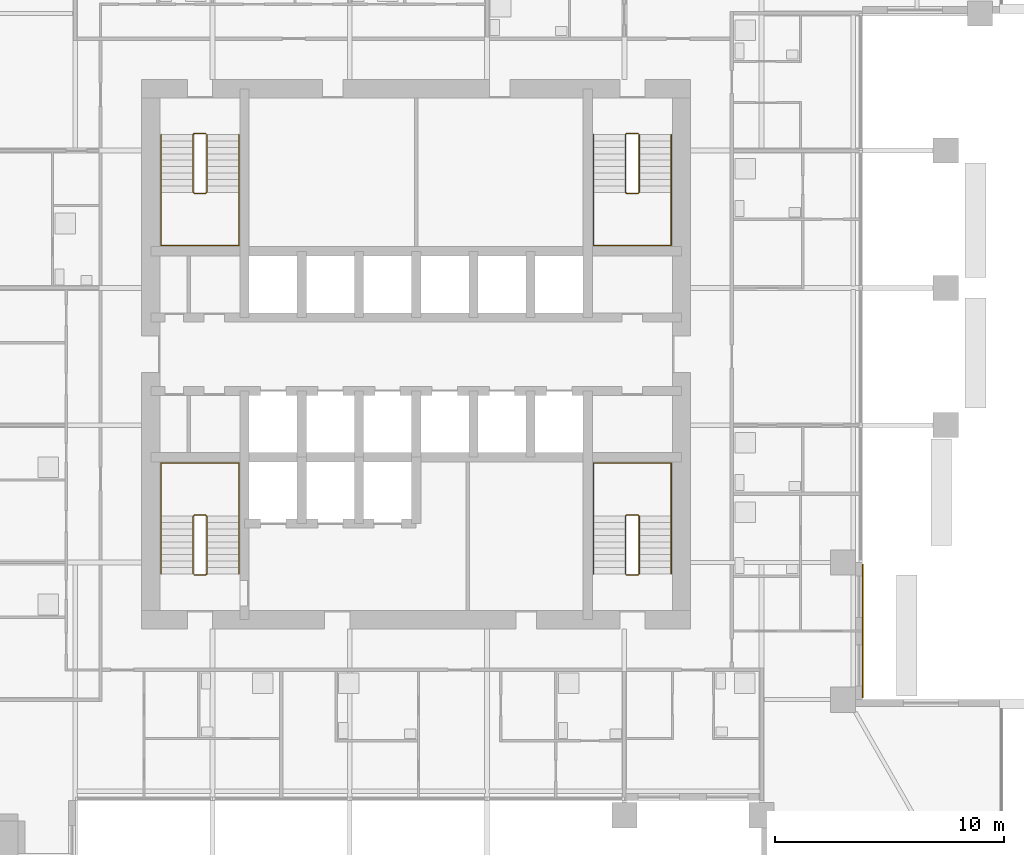
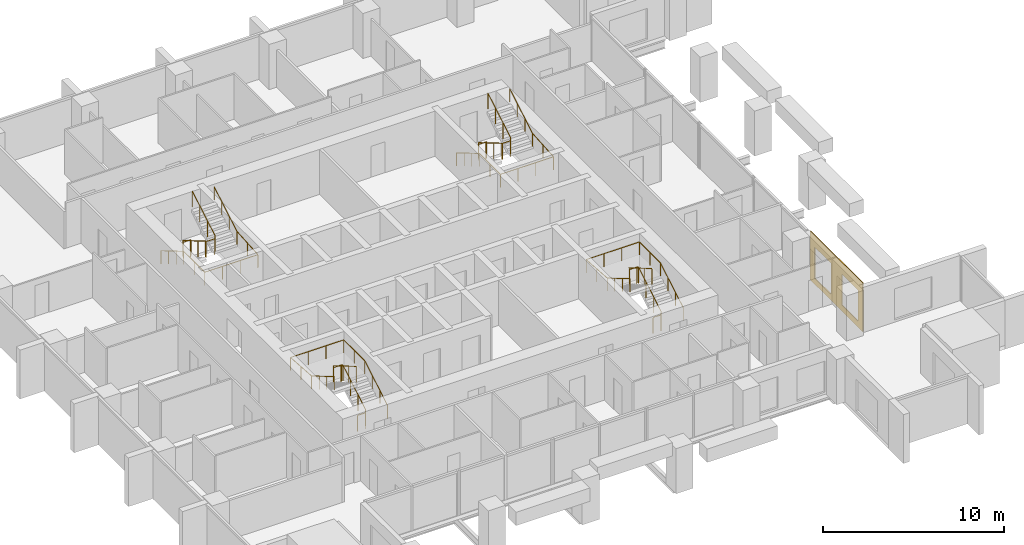
# One storey, part 12 of 13: 8 railings, 1 covering.
"""IFC4 building model written with IfcOpenShell, lengths in metres."""

from ifc_helpers import new_model, si_unit, direction, frame, origin, origin_2d, place, context, subcontext, project, spatial, polyline, circle, outline, extrude, material, layer, layer_set, type_object, element, save


model = new_model("IFC4")

# Units and contexts
model_context = context("Model", 3, precision=1e-05, world=origin(), true_north=direction((0.0, 1.0)))
body_context = subcontext(model_context, "Body", "Model", "MODEL_VIEW")
ifc_project = project(units=[si_unit("LENGTHUNIT", "METRE"), si_unit("AREAUNIT", "SQUARE_METRE"), si_unit("VOLUMEUNIT", "CUBIC_METRE"), si_unit("PLANEANGLEUNIT", "RADIAN"), si_unit("MASSUNIT", "GRAM", prefix="KILO")], contexts=[model_context])

# Site, building, storey
site_placement = place(None, origin())
site = spatial("IfcSite", under=ifc_project, at=site_placement, CompositionType="ELEMENT")
building_placement = place(site_placement, origin())
building = spatial("IfcBuilding", under=site, at=building_placement, Name="Amberfall Residences", CompositionType="ELEMENT")
storey_placement = place(building_placement, frame((0.0, 0.0, 111.699951171875)))
storey = spatial("IfcBuildingStorey", under=building, at=storey_placement, Name="L30", CompositionType="ELEMENT", Elevation=111.699951171875)

# Covering
ifc_material_1 = material(Name="Pale limestone cladding", Category="masonry")
ifc_layer = layer(ifc_material_1, 0.050048828125)
ifc_layer_set = layer_set([ifc_layer], Name="Limestone fascia 50")
covering_type = type_object("IfcCoveringType", Name="Limestone fascia 50", PredefinedType="CLADDING", material=ifc_layer_set)
covering_placement = place(storey_placement, frame((94.0, 30.489990234375, 3.050048828125), z_axis=(-1.0, 0.0, 0.0), x_axis=(0.0, 1.0, 0.0)))
element("IfcCovering", 1, at=covering_placement, inside=storey, type_object=covering_type, Name="Pale limestone cladding L30 E", PredefinedType="CLADDING", context=body_context, shape_type="SweptSolid", body=[
    extrude(outline(polyline([(0.0, 0.0), (5.820068359375, 0.0), (5.820068359375, 3.300048828125), (0.0, 3.300048828125), (0.0, 0.0)]), holes=[polyline([(0.510009765625, 0.800048828125), (2.31005859375, 0.800048828125), (2.31005859375, 2.89990234375), (0.510009765625, 2.89990234375), (0.510009765625, 0.800048828125)]), polyline([(3.510009765625, 0.800048828125), (5.31005859375, 0.800048828125), (5.31005859375, 2.89990234375), (3.510009765625, 2.89990234375), (3.510009765625, 0.800048828125)])]), origin(), (0.0, 0.0, -1.0), 0.050048828125),
])

# Railings
ifc_material_2 = material(Name="Stainless steel 316", Category="steel")
railing_type_1 = type_object("IfcRailingType", Name="Stair guard 1100", PredefinedType="GUARDRAIL", material=ifc_material_2)
railing_1_placement = place(storey_placement, frame((64.800048828125, 35.85009765625, 0.0)))
element("IfcRailing", 2, at=railing_1_placement, inside=storey, type_object=railing_type_1, Name="L30 stair 1 guard", PredefinedType="GUARDRAIL", context=body_context, shape_type="SweptSolid", body=[
    extrude(circle(Radius=0.02392578125, at=origin_2d()), frame((0.0, 0.0, 1.076171875), z_axis=(1.0, 0.0, 0.0), x_axis=(0.0, 1.0, 0.0)), (0.0, 0.0, 1.0), 0.5),
    extrude(circle(Radius=0.02392578125, at=origin_2d()), frame((0.5, 0.0, 1.076171875), z_axis=(0.278810427259, 0.277450376394, 0.919394384522), x_axis=(-0.705375805398, 0.708833529934, 0.0)), (0.0, 0.0, 1.0), 0.179443359375),
    extrude(circle(Radius=0.02392578125, at=origin_2d()), frame((0.550048828125, 0.0498046875, 1.2412109375), z_axis=(0.0, 0.86152411907, 0.507716645641), x_axis=(-1.0, 0.0, 0.0)), (0.0, 0.0, 1.0), 2.925048828125),
    extrude(circle(Radius=0.02392578125, at=origin_2d()), frame((0.550048828125, 2.56982421875, 2.72607421875), z_axis=(-0.707106781187, 0.707106781187, 0.0), x_axis=(-0.707106781187, -0.707106781187, 0.0)), (0.0, 0.0, 1.0), 0.07080078125),
    extrude(circle(Radius=0.02392578125, at=origin_2d()), frame((0.5, 2.619873046875, 2.72607421875), z_axis=(-1.0, 0.0, 0.0), x_axis=(0.0, -1.0, 0.0)), (0.0, 0.0, 1.0), 0.5),
    extrude(circle(Radius=0.02392578125, at=origin_2d()), frame((0.0, 2.619873046875, 2.72607421875), z_axis=(-0.279053652268, -0.279053652268, 0.918835196492), x_axis=(0.707106781187, -0.707106781187, 0.0)), (0.0, 0.0, 1.0), 0.179443359375),
    extrude(circle(Radius=0.02392578125, at=origin_2d()), frame((-0.050048828125, 2.56982421875, 2.89111328125), z_axis=(0.0, -0.86152411907, 0.507716645641), x_axis=(1.0, 0.0, 0.0)), (0.0, 0.0, 1.0), 2.925048828125),
    extrude(circle(Radius=0.02099609375, at=origin_2d()), origin(), (0.0, 0.0, 1.0), 1.052001953125),
    extrude(circle(Radius=0.02099609375, at=origin_2d()), frame((0.5, 0.0, 0.0)), (0.0, 0.0, 1.0), 1.052001953125),
    extrude(circle(Radius=0.02099609375, at=origin_2d()), frame((0.550048828125, 0.0498046875, 0.1650390625)), (0.0, 0.0, 1.0), 1.052001953125),
    extrude(circle(Radius=0.02099609375, at=origin_2d()), frame((0.550048828125, 0.889892578125, 0.66015625)), (0.0, 0.0, 1.0), 1.052001953125),
    extrude(circle(Radius=0.02099609375, at=origin_2d()), frame((0.550048828125, 1.729736328125, 1.155029296875)), (0.0, 0.0, 1.0), 1.052001953125),
    extrude(circle(Radius=0.02099609375, at=origin_2d()), frame((0.550048828125, 2.56982421875, 1.650146484375)), (0.0, 0.0, 1.0), 1.052001953125),
    extrude(circle(Radius=0.02099609375, at=origin_2d()), frame((0.5, 2.619873046875, 1.650146484375)), (0.0, 0.0, 1.0), 1.052001953125),
    extrude(circle(Radius=0.02099609375, at=origin_2d()), frame((0.0, 2.619873046875, 1.650146484375)), (0.0, 0.0, 1.0), 1.052001953125),
    extrude(circle(Radius=0.02099609375, at=origin_2d()), frame((-0.050048828125, 2.56982421875, 1.81494140625)), (0.0, 0.0, 1.0), 1.052001953125),
    extrude(circle(Radius=0.02099609375, at=origin_2d()), frame((-0.050048828125, 1.729736328125, 2.31005859375)), (0.0, 0.0, 1.0), 1.052001953125),
    extrude(circle(Radius=0.02099609375, at=origin_2d()), frame((-0.050048828125, 0.889892578125, 2.804931640625)), (0.0, 0.0, 1.0), 1.052001953125),
    extrude(circle(Radius=0.02099609375, at=origin_2d()), frame((-0.050048828125, 0.0498046875, 3.300048828125)), (0.0, 0.0, 1.0), 1.052001953125),
])
railing_2_placement = place(storey_placement, frame((83.699951171875, 35.85009765625, 0.0)))
element("IfcRailing", 3, at=railing_2_placement, inside=storey, type_object=railing_type_1, Name="L30 stair 2 guard", PredefinedType="GUARDRAIL", context=body_context, shape_type="SweptSolid", body=[
    extrude(circle(Radius=0.02392578125, at=origin_2d()), frame((0.0, 0.0, 1.076171875), z_axis=(1.0, 0.0, 0.0), x_axis=(0.0, 1.0, 0.0)), (0.0, 0.0, 1.0), 0.5),
    extrude(circle(Radius=0.02392578125, at=origin_2d()), frame((0.5, 0.0, 1.076171875), z_axis=(0.278810427259, 0.277450376394, 0.919394384522), x_axis=(-0.705375805398, 0.708833529934, 0.0)), (0.0, 0.0, 1.0), 0.179443359375),
    extrude(circle(Radius=0.02392578125, at=origin_2d()), frame((0.550048828125, 0.0498046875, 1.2412109375), z_axis=(0.0, 0.86152411907, 0.507716645641), x_axis=(-1.0, 0.0, 0.0)), (0.0, 0.0, 1.0), 2.925048828125),
    extrude(circle(Radius=0.02392578125, at=origin_2d()), frame((0.550048828125, 2.56982421875, 2.72607421875), z_axis=(-0.707106781187, 0.707106781187, 0.0), x_axis=(-0.707106781187, -0.707106781187, 0.0)), (0.0, 0.0, 1.0), 0.07080078125),
    extrude(circle(Radius=0.02392578125, at=origin_2d()), frame((0.5, 2.619873046875, 2.72607421875), z_axis=(-1.0, 0.0, 0.0), x_axis=(0.0, -1.0, 0.0)), (0.0, 0.0, 1.0), 0.5),
    extrude(circle(Radius=0.02392578125, at=origin_2d()), frame((0.0, 2.619873046875, 2.72607421875), z_axis=(-0.279053652268, -0.279053652268, 0.918835196492), x_axis=(0.707106781187, -0.707106781187, 0.0)), (0.0, 0.0, 1.0), 0.179443359375),
    extrude(circle(Radius=0.02392578125, at=origin_2d()), frame((-0.050048828125, 2.56982421875, 2.89111328125), z_axis=(0.0, -0.86152411907, 0.507716645641), x_axis=(1.0, 0.0, 0.0)), (0.0, 0.0, 1.0), 2.925048828125),
    extrude(circle(Radius=0.02099609375, at=origin_2d()), origin(), (0.0, 0.0, 1.0), 1.052001953125),
    extrude(circle(Radius=0.02099609375, at=origin_2d()), frame((0.5, 0.0, 0.0)), (0.0, 0.0, 1.0), 1.052001953125),
    extrude(circle(Radius=0.02099609375, at=origin_2d()), frame((0.550048828125, 0.0498046875, 0.1650390625)), (0.0, 0.0, 1.0), 1.052001953125),
    extrude(circle(Radius=0.02099609375, at=origin_2d()), frame((0.550048828125, 0.889892578125, 0.66015625)), (0.0, 0.0, 1.0), 1.052001953125),
    extrude(circle(Radius=0.02099609375, at=origin_2d()), frame((0.550048828125, 1.729736328125, 1.155029296875)), (0.0, 0.0, 1.0), 1.052001953125),
    extrude(circle(Radius=0.02099609375, at=origin_2d()), frame((0.550048828125, 2.56982421875, 1.650146484375)), (0.0, 0.0, 1.0), 1.052001953125),
    extrude(circle(Radius=0.02099609375, at=origin_2d()), frame((0.5, 2.619873046875, 1.650146484375)), (0.0, 0.0, 1.0), 1.052001953125),
    extrude(circle(Radius=0.02099609375, at=origin_2d()), frame((0.0, 2.619873046875, 1.650146484375)), (0.0, 0.0, 1.0), 1.052001953125),
    extrude(circle(Radius=0.02099609375, at=origin_2d()), frame((-0.050048828125, 2.56982421875, 1.81494140625)), (0.0, 0.0, 1.0), 1.052001953125),
    extrude(circle(Radius=0.02099609375, at=origin_2d()), frame((-0.050048828125, 1.729736328125, 2.31005859375)), (0.0, 0.0, 1.0), 1.052001953125),
    extrude(circle(Radius=0.02099609375, at=origin_2d()), frame((-0.050048828125, 0.889892578125, 2.804931640625)), (0.0, 0.0, 1.0), 1.052001953125),
    extrude(circle(Radius=0.02099609375, at=origin_2d()), frame((-0.050048828125, 0.0498046875, 3.300048828125)), (0.0, 0.0, 1.0), 1.052001953125),
])
railing_3_placement = place(storey_placement, frame((84.199951171875, 55.14990234375, 0.0)))
element("IfcRailing", 4, at=railing_3_placement, inside=storey, type_object=railing_type_1, Name="L30 stair 3 guard", PredefinedType="GUARDRAIL", context=body_context, shape_type="SweptSolid", body=[
    extrude(circle(Radius=0.02392578125, at=origin_2d()), frame((0.0, 0.0, 1.076171875), z_axis=(-1.0, 0.0, 0.0), x_axis=(0.0, -1.0, 0.0)), (0.0, 0.0, 1.0), 0.5),
    extrude(circle(Radius=0.02392578125, at=origin_2d()), frame((-0.5, 0.0, 1.076171875), z_axis=(-0.278810427259, -0.277450376394, 0.919394384522), x_axis=(0.705375805398, -0.708833529934, 0.0)), (0.0, 0.0, 1.0), 0.179443359375),
    extrude(circle(Radius=0.02392578125, at=origin_2d()), frame((-0.550048828125, -0.0498046875, 1.2412109375), z_axis=(0.0, -0.86152411907, 0.507716645641), x_axis=(1.0, 0.0, 0.0)), (0.0, 0.0, 1.0), 2.925048828125),
    extrude(circle(Radius=0.02392578125, at=origin_2d()), frame((-0.550048828125, -2.56982421875, 2.72607421875), z_axis=(0.707106781187, -0.707106781187, 0.0), x_axis=(0.707106781187, 0.707106781187, 0.0)), (0.0, 0.0, 1.0), 0.07080078125),
    extrude(circle(Radius=0.02392578125, at=origin_2d()), frame((-0.5, -2.619873046875, 2.72607421875), z_axis=(1.0, 0.0, 0.0), x_axis=(0.0, 1.0, 0.0)), (0.0, 0.0, 1.0), 0.5),
    extrude(circle(Radius=0.02392578125, at=origin_2d()), frame((0.0, -2.619873046875, 2.72607421875), z_axis=(0.279053652268, 0.279053652268, 0.918835196492), x_axis=(-0.707106781187, 0.707106781187, 0.0)), (0.0, 0.0, 1.0), 0.179443359375),
    extrude(circle(Radius=0.02392578125, at=origin_2d()), frame((0.050048828125, -2.56982421875, 2.89111328125), z_axis=(0.0, 0.86152411907, 0.507716645641), x_axis=(-1.0, 0.0, 0.0)), (0.0, 0.0, 1.0), 2.925048828125),
    extrude(circle(Radius=0.02099609375, at=origin_2d()), origin(), (0.0, 0.0, 1.0), 1.052001953125),
    extrude(circle(Radius=0.02099609375, at=origin_2d()), frame((-0.5, 0.0, 0.0)), (0.0, 0.0, 1.0), 1.052001953125),
    extrude(circle(Radius=0.02099609375, at=origin_2d()), frame((-0.550048828125, -0.0498046875, 0.1650390625)), (0.0, 0.0, 1.0), 1.052001953125),
    extrude(circle(Radius=0.02099609375, at=origin_2d()), frame((-0.550048828125, -0.889892578125, 0.66015625)), (0.0, 0.0, 1.0), 1.052001953125),
    extrude(circle(Radius=0.02099609375, at=origin_2d()), frame((-0.550048828125, -1.729736328125, 1.155029296875)), (0.0, 0.0, 1.0), 1.052001953125),
    extrude(circle(Radius=0.02099609375, at=origin_2d()), frame((-0.550048828125, -2.56982421875, 1.650146484375)), (0.0, 0.0, 1.0), 1.052001953125),
    extrude(circle(Radius=0.02099609375, at=origin_2d()), frame((-0.5, -2.619873046875, 1.650146484375)), (0.0, 0.0, 1.0), 1.052001953125),
    extrude(circle(Radius=0.02099609375, at=origin_2d()), frame((0.0, -2.619873046875, 1.650146484375)), (0.0, 0.0, 1.0), 1.052001953125),
    extrude(circle(Radius=0.02099609375, at=origin_2d()), frame((0.050048828125, -2.56982421875, 1.81494140625)), (0.0, 0.0, 1.0), 1.052001953125),
    extrude(circle(Radius=0.02099609375, at=origin_2d()), frame((0.050048828125, -1.729736328125, 2.31005859375)), (0.0, 0.0, 1.0), 1.052001953125),
    extrude(circle(Radius=0.02099609375, at=origin_2d()), frame((0.050048828125, -0.889892578125, 2.804931640625)), (0.0, 0.0, 1.0), 1.052001953125),
    extrude(circle(Radius=0.02099609375, at=origin_2d()), frame((0.050048828125, -0.0498046875, 3.300048828125)), (0.0, 0.0, 1.0), 1.052001953125),
])
railing_4_placement = place(storey_placement, frame((65.300048828125, 55.14990234375, 0.0)))
element("IfcRailing", 5, at=railing_4_placement, inside=storey, type_object=railing_type_1, Name="L30 stair 4 guard", PredefinedType="GUARDRAIL", context=body_context, shape_type="SweptSolid", body=[
    extrude(circle(Radius=0.02392578125, at=origin_2d()), frame((0.0, 0.0, 1.076171875), z_axis=(-1.0, 0.0, 0.0), x_axis=(0.0, -1.0, 0.0)), (0.0, 0.0, 1.0), 0.5),
    extrude(circle(Radius=0.02392578125, at=origin_2d()), frame((-0.5, 0.0, 1.076171875), z_axis=(-0.278810427259, -0.277450376394, 0.919394384522), x_axis=(0.705375805398, -0.708833529934, 0.0)), (0.0, 0.0, 1.0), 0.179443359375),
    extrude(circle(Radius=0.02392578125, at=origin_2d()), frame((-0.550048828125, -0.0498046875, 1.2412109375), z_axis=(0.0, -0.86152411907, 0.507716645641), x_axis=(1.0, 0.0, 0.0)), (0.0, 0.0, 1.0), 2.925048828125),
    extrude(circle(Radius=0.02392578125, at=origin_2d()), frame((-0.550048828125, -2.56982421875, 2.72607421875), z_axis=(0.707106781187, -0.707106781187, 0.0), x_axis=(0.707106781187, 0.707106781187, 0.0)), (0.0, 0.0, 1.0), 0.07080078125),
    extrude(circle(Radius=0.02392578125, at=origin_2d()), frame((-0.5, -2.619873046875, 2.72607421875), z_axis=(1.0, 0.0, 0.0), x_axis=(0.0, 1.0, 0.0)), (0.0, 0.0, 1.0), 0.5),
    extrude(circle(Radius=0.02392578125, at=origin_2d()), frame((0.0, -2.619873046875, 2.72607421875), z_axis=(0.279053652268, 0.279053652268, 0.918835196492), x_axis=(-0.707106781187, 0.707106781187, 0.0)), (0.0, 0.0, 1.0), 0.179443359375),
    extrude(circle(Radius=0.02392578125, at=origin_2d()), frame((0.050048828125, -2.56982421875, 2.89111328125), z_axis=(0.0, 0.86152411907, 0.507716645641), x_axis=(-1.0, 0.0, 0.0)), (0.0, 0.0, 1.0), 2.925048828125),
    extrude(circle(Radius=0.02099609375, at=origin_2d()), origin(), (0.0, 0.0, 1.0), 1.052001953125),
    extrude(circle(Radius=0.02099609375, at=origin_2d()), frame((-0.5, 0.0, 0.0)), (0.0, 0.0, 1.0), 1.052001953125),
    extrude(circle(Radius=0.02099609375, at=origin_2d()), frame((-0.550048828125, -0.0498046875, 0.1650390625)), (0.0, 0.0, 1.0), 1.052001953125),
    extrude(circle(Radius=0.02099609375, at=origin_2d()), frame((-0.550048828125, -0.889892578125, 0.66015625)), (0.0, 0.0, 1.0), 1.052001953125),
    extrude(circle(Radius=0.02099609375, at=origin_2d()), frame((-0.550048828125, -1.729736328125, 1.155029296875)), (0.0, 0.0, 1.0), 1.052001953125),
    extrude(circle(Radius=0.02099609375, at=origin_2d()), frame((-0.550048828125, -2.56982421875, 1.650146484375)), (0.0, 0.0, 1.0), 1.052001953125),
    extrude(circle(Radius=0.02099609375, at=origin_2d()), frame((-0.5, -2.619873046875, 1.650146484375)), (0.0, 0.0, 1.0), 1.052001953125),
    extrude(circle(Radius=0.02099609375, at=origin_2d()), frame((0.0, -2.619873046875, 1.650146484375)), (0.0, 0.0, 1.0), 1.052001953125),
    extrude(circle(Radius=0.02099609375, at=origin_2d()), frame((0.050048828125, -2.56982421875, 1.81494140625)), (0.0, 0.0, 1.0), 1.052001953125),
    extrude(circle(Radius=0.02099609375, at=origin_2d()), frame((0.050048828125, -1.729736328125, 2.31005859375)), (0.0, 0.0, 1.0), 1.052001953125),
    extrude(circle(Radius=0.02099609375, at=origin_2d()), frame((0.050048828125, -0.889892578125, 2.804931640625)), (0.0, 0.0, 1.0), 1.052001953125),
    extrude(circle(Radius=0.02099609375, at=origin_2d()), frame((0.050048828125, -0.0498046875, 3.300048828125)), (0.0, 0.0, 1.0), 1.052001953125),
])
railing_type_2 = type_object("IfcRailingType", Name="Stair handrail 900", PredefinedType="HANDRAIL", material=ifc_material_2)
railing_5_placement = place(storey_placement, frame((66.75, 35.89990234375, 0.1650390625)))
element("IfcRailing", 6, at=railing_5_placement, inside=storey, type_object=railing_type_2, Name="L30 stair 1 handrail", PredefinedType="HANDRAIL", context=body_context, shape_type="SweptSolid", body=[
    extrude(circle(Radius=0.02392578125, at=origin_2d()), frame((0.0, 0.0, 0.8759765625), z_axis=(0.0, 0.86152411907, 0.507716645641), x_axis=(-1.0, 0.0, 0.0)), (0.0, 0.0, 1.0), 2.925048828125),
    extrude(circle(Radius=0.02392578125, at=origin_2d()), frame((0.0, 2.52001953125, 2.36083984375), z_axis=(0.0, 1.0, 0.0), x_axis=(-1.0, 0.0, 0.0)), (0.0, 0.0, 1.0), 2.330078125),
    extrude(circle(Radius=0.02392578125, at=origin_2d()), frame((0.0, 4.85009765625, 2.36083984375), z_axis=(-1.0, 0.0, 0.0), x_axis=(0.0, -1.0, 0.0)), (0.0, 0.0, 1.0), 3.39990234375),
    extrude(circle(Radius=0.02392578125, at=origin_2d()), frame((-3.39990234375, 4.85009765625, 2.36083984375), z_axis=(0.0, -0.997508326432, 0.070548839097), x_axis=(1.0, 0.0, 0.0)), (0.0, 0.0, 1.0), 2.3359375),
    extrude(circle(Radius=0.02392578125, at=origin_2d()), frame((-3.39990234375, 2.52001953125, 2.52587890625), z_axis=(0.0, -0.86152411907, 0.507716645641), x_axis=(1.0, 0.0, 0.0)), (0.0, 0.0, 1.0), 2.925048828125),
    extrude(circle(Radius=0.02099609375, at=origin_2d()), origin(), (0.0, 0.0, 1.0), 0.851806640625),
    extrude(circle(Radius=0.02099609375, at=origin_2d()), frame((0.0, 0.840087890625, 0.4951171875)), (0.0, 0.0, 1.0), 0.851806640625),
    extrude(circle(Radius=0.02099609375, at=origin_2d()), frame((0.0, 1.679931640625, 0.989990234375)), (0.0, 0.0, 1.0), 0.851806640625),
    extrude(circle(Radius=0.02099609375, at=origin_2d()), frame((0.0, 2.52001953125, 1.485107421875)), (0.0, 0.0, 1.0), 0.851806640625),
    extrude(circle(Radius=0.02099609375, at=origin_2d()), frame((0.0, 3.68505859375, 1.485107421875)), (0.0, 0.0, 1.0), 0.851806640625),
    extrude(circle(Radius=0.02099609375, at=origin_2d()), frame((0.0, 4.85009765625, 1.485107421875)), (0.0, 0.0, 1.0), 0.851806640625),
    extrude(circle(Radius=0.02099609375, at=origin_2d()), frame((-1.13330078125, 4.85009765625, 1.485107421875)), (0.0, 0.0, 1.0), 0.851806640625),
    extrude(circle(Radius=0.02099609375, at=origin_2d()), frame((-2.2666015625, 4.85009765625, 1.485107421875)), (0.0, 0.0, 1.0), 0.851806640625),
    extrude(circle(Radius=0.02099609375, at=origin_2d()), frame((-3.39990234375, 4.85009765625, 1.485107421875)), (0.0, 0.0, 1.0), 0.851806640625),
    extrude(circle(Radius=0.02099609375, at=origin_2d()), frame((-3.39990234375, 3.68505859375, 1.5673828125)), (0.0, 0.0, 1.0), 0.851806640625),
    extrude(circle(Radius=0.02099609375, at=origin_2d()), frame((-3.39990234375, 2.52001953125, 1.64990234375)), (0.0, 0.0, 1.0), 0.851806640625),
    extrude(circle(Radius=0.02099609375, at=origin_2d()), frame((-3.39990234375, 1.679931640625, 2.14501953125)), (0.0, 0.0, 1.0), 0.851806640625),
    extrude(circle(Radius=0.02099609375, at=origin_2d()), frame((-3.39990234375, 0.840087890625, 2.639892578125)), (0.0, 0.0, 1.0), 0.851806640625),
    extrude(circle(Radius=0.02099609375, at=origin_2d()), frame((-3.39990234375, 0.0, 3.135009765625)), (0.0, 0.0, 1.0), 0.851806640625),
])
railing_6_placement = place(storey_placement, frame((85.64990234375, 35.89990234375, 0.1650390625)))
element("IfcRailing", 7, at=railing_6_placement, inside=storey, type_object=railing_type_2, Name="L30 stair 2 handrail", PredefinedType="HANDRAIL", context=body_context, shape_type="SweptSolid", body=[
    extrude(circle(Radius=0.02392578125, at=origin_2d()), frame((0.0, 0.0, 0.8759765625), z_axis=(0.0, 0.86152411907, 0.507716645641), x_axis=(-1.0, 0.0, 0.0)), (0.0, 0.0, 1.0), 2.925048828125),
    extrude(circle(Radius=0.02392578125, at=origin_2d()), frame((0.0, 2.52001953125, 2.36083984375), z_axis=(0.0, 1.0, 0.0), x_axis=(-1.0, 0.0, 0.0)), (0.0, 0.0, 1.0), 2.330078125),
    extrude(circle(Radius=0.02392578125, at=origin_2d()), frame((0.0, 4.85009765625, 2.36083984375), z_axis=(-1.0, 0.0, 0.0), x_axis=(0.0, -1.0, 0.0)), (0.0, 0.0, 1.0), 3.39990234375),
    extrude(circle(Radius=0.02392578125, at=origin_2d()), frame((-3.39990234375, 4.85009765625, 2.36083984375), z_axis=(0.0, -0.997508326432, 0.070548839097), x_axis=(1.0, 0.0, 0.0)), (0.0, 0.0, 1.0), 2.3359375),
    extrude(circle(Radius=0.02392578125, at=origin_2d()), frame((-3.39990234375, 2.52001953125, 2.52587890625), z_axis=(0.0, -0.86152411907, 0.507716645641), x_axis=(1.0, 0.0, 0.0)), (0.0, 0.0, 1.0), 2.925048828125),
    extrude(circle(Radius=0.02099609375, at=origin_2d()), origin(), (0.0, 0.0, 1.0), 0.851806640625),
    extrude(circle(Radius=0.02099609375, at=origin_2d()), frame((0.0, 0.840087890625, 0.4951171875)), (0.0, 0.0, 1.0), 0.851806640625),
    extrude(circle(Radius=0.02099609375, at=origin_2d()), frame((0.0, 1.679931640625, 0.989990234375)), (0.0, 0.0, 1.0), 0.851806640625),
    extrude(circle(Radius=0.02099609375, at=origin_2d()), frame((0.0, 2.52001953125, 1.485107421875)), (0.0, 0.0, 1.0), 0.851806640625),
    extrude(circle(Radius=0.02099609375, at=origin_2d()), frame((0.0, 3.68505859375, 1.485107421875)), (0.0, 0.0, 1.0), 0.851806640625),
    extrude(circle(Radius=0.02099609375, at=origin_2d()), frame((0.0, 4.85009765625, 1.485107421875)), (0.0, 0.0, 1.0), 0.851806640625),
    extrude(circle(Radius=0.02099609375, at=origin_2d()), frame((-1.13330078125, 4.85009765625, 1.485107421875)), (0.0, 0.0, 1.0), 0.851806640625),
    extrude(circle(Radius=0.02099609375, at=origin_2d()), frame((-2.2666015625, 4.85009765625, 1.485107421875)), (0.0, 0.0, 1.0), 0.851806640625),
    extrude(circle(Radius=0.02099609375, at=origin_2d()), frame((-3.39990234375, 4.85009765625, 1.485107421875)), (0.0, 0.0, 1.0), 0.851806640625),
    extrude(circle(Radius=0.02099609375, at=origin_2d()), frame((-3.39990234375, 3.68505859375, 1.5673828125)), (0.0, 0.0, 1.0), 0.851806640625),
    extrude(circle(Radius=0.02099609375, at=origin_2d()), frame((-3.39990234375, 2.52001953125, 1.64990234375)), (0.0, 0.0, 1.0), 0.851806640625),
    extrude(circle(Radius=0.02099609375, at=origin_2d()), frame((-3.39990234375, 1.679931640625, 2.14501953125)), (0.0, 0.0, 1.0), 0.851806640625),
    extrude(circle(Radius=0.02099609375, at=origin_2d()), frame((-3.39990234375, 0.840087890625, 2.639892578125)), (0.0, 0.0, 1.0), 0.851806640625),
    extrude(circle(Radius=0.02099609375, at=origin_2d()), frame((-3.39990234375, 0.0, 3.135009765625)), (0.0, 0.0, 1.0), 0.851806640625),
])
railing_7_placement = place(storey_placement, frame((82.25, 55.10009765625, 0.1650390625)))
element("IfcRailing", 8, at=railing_7_placement, inside=storey, type_object=railing_type_2, Name="L30 stair 3 handrail", PredefinedType="HANDRAIL", context=body_context, shape_type="SweptSolid", body=[
    extrude(circle(Radius=0.02392578125, at=origin_2d()), frame((0.0, 0.0, 0.8759765625), z_axis=(0.0, -0.86152411907, 0.507716645641), x_axis=(1.0, 0.0, 0.0)), (0.0, 0.0, 1.0), 2.925048828125),
    extrude(circle(Radius=0.02392578125, at=origin_2d()), frame((0.0, -2.52001953125, 2.36083984375), z_axis=(0.0, -1.0, 0.0), x_axis=(1.0, 0.0, 0.0)), (0.0, 0.0, 1.0), 2.330078125),
    extrude(circle(Radius=0.02392578125, at=origin_2d()), frame((0.0, -4.85009765625, 2.36083984375), z_axis=(1.0, 0.0, 0.0), x_axis=(0.0, 1.0, 0.0)), (0.0, 0.0, 1.0), 3.39990234375),
    extrude(circle(Radius=0.02392578125, at=origin_2d()), frame((3.39990234375, -4.85009765625, 2.36083984375), z_axis=(0.0, 0.997508326432, 0.070548839097), x_axis=(-1.0, 0.0, 0.0)), (0.0, 0.0, 1.0), 2.3359375),
    extrude(circle(Radius=0.02392578125, at=origin_2d()), frame((3.39990234375, -2.52001953125, 2.52587890625), z_axis=(0.0, 0.86152411907, 0.507716645641), x_axis=(-1.0, 0.0, 0.0)), (0.0, 0.0, 1.0), 2.925048828125),
    extrude(circle(Radius=0.02099609375, at=origin_2d()), origin(), (0.0, 0.0, 1.0), 0.851806640625),
    extrude(circle(Radius=0.02099609375, at=origin_2d()), frame((0.0, -0.840087890625, 0.4951171875)), (0.0, 0.0, 1.0), 0.851806640625),
    extrude(circle(Radius=0.02099609375, at=origin_2d()), frame((0.0, -1.679931640625, 0.989990234375)), (0.0, 0.0, 1.0), 0.851806640625),
    extrude(circle(Radius=0.02099609375, at=origin_2d()), frame((0.0, -2.52001953125, 1.485107421875)), (0.0, 0.0, 1.0), 0.851806640625),
    extrude(circle(Radius=0.02099609375, at=origin_2d()), frame((0.0, -3.68505859375, 1.485107421875)), (0.0, 0.0, 1.0), 0.851806640625),
    extrude(circle(Radius=0.02099609375, at=origin_2d()), frame((0.0, -4.85009765625, 1.485107421875)), (0.0, 0.0, 1.0), 0.851806640625),
    extrude(circle(Radius=0.02099609375, at=origin_2d()), frame((1.13330078125, -4.85009765625, 1.485107421875)), (0.0, 0.0, 1.0), 0.851806640625),
    extrude(circle(Radius=0.02099609375, at=origin_2d()), frame((2.2666015625, -4.85009765625, 1.485107421875)), (0.0, 0.0, 1.0), 0.851806640625),
    extrude(circle(Radius=0.02099609375, at=origin_2d()), frame((3.39990234375, -4.85009765625, 1.485107421875)), (0.0, 0.0, 1.0), 0.851806640625),
    extrude(circle(Radius=0.02099609375, at=origin_2d()), frame((3.39990234375, -3.68505859375, 1.5673828125)), (0.0, 0.0, 1.0), 0.851806640625),
    extrude(circle(Radius=0.02099609375, at=origin_2d()), frame((3.39990234375, -2.52001953125, 1.64990234375)), (0.0, 0.0, 1.0), 0.851806640625),
    extrude(circle(Radius=0.02099609375, at=origin_2d()), frame((3.39990234375, -1.679931640625, 2.14501953125)), (0.0, 0.0, 1.0), 0.851806640625),
    extrude(circle(Radius=0.02099609375, at=origin_2d()), frame((3.39990234375, -0.840087890625, 2.639892578125)), (0.0, 0.0, 1.0), 0.851806640625),
    extrude(circle(Radius=0.02099609375, at=origin_2d()), frame((3.39990234375, 0.0, 3.135009765625)), (0.0, 0.0, 1.0), 0.851806640625),
])
railing_8_placement = place(storey_placement, frame((63.35009765625, 55.10009765625, 0.1650390625)))
element("IfcRailing", 9, at=railing_8_placement, inside=storey, type_object=railing_type_2, Name="L30 stair 4 handrail", PredefinedType="HANDRAIL", context=body_context, shape_type="SweptSolid", body=[
    extrude(circle(Radius=0.02392578125, at=origin_2d()), frame((0.0, 0.0, 0.8759765625), z_axis=(0.0, -0.86152411907, 0.507716645641), x_axis=(1.0, 0.0, 0.0)), (0.0, 0.0, 1.0), 2.925048828125),
    extrude(circle(Radius=0.02392578125, at=origin_2d()), frame((0.0, -2.52001953125, 2.36083984375), z_axis=(0.0, -1.0, 0.0), x_axis=(1.0, 0.0, 0.0)), (0.0, 0.0, 1.0), 2.330078125),
    extrude(circle(Radius=0.02392578125, at=origin_2d()), frame((0.0, -4.85009765625, 2.36083984375), z_axis=(1.0, 0.0, 0.0), x_axis=(0.0, 1.0, 0.0)), (0.0, 0.0, 1.0), 3.39990234375),
    extrude(circle(Radius=0.02392578125, at=origin_2d()), frame((3.39990234375, -4.85009765625, 2.36083984375), z_axis=(0.0, 0.997508326432, 0.070548839097), x_axis=(-1.0, 0.0, 0.0)), (0.0, 0.0, 1.0), 2.3359375),
    extrude(circle(Radius=0.02392578125, at=origin_2d()), frame((3.39990234375, -2.52001953125, 2.52587890625), z_axis=(0.0, 0.86152411907, 0.507716645641), x_axis=(-1.0, 0.0, 0.0)), (0.0, 0.0, 1.0), 2.925048828125),
    extrude(circle(Radius=0.02099609375, at=origin_2d()), origin(), (0.0, 0.0, 1.0), 0.851806640625),
    extrude(circle(Radius=0.02099609375, at=origin_2d()), frame((0.0, -0.840087890625, 0.4951171875)), (0.0, 0.0, 1.0), 0.851806640625),
    extrude(circle(Radius=0.02099609375, at=origin_2d()), frame((0.0, -1.679931640625, 0.989990234375)), (0.0, 0.0, 1.0), 0.851806640625),
    extrude(circle(Radius=0.02099609375, at=origin_2d()), frame((0.0, -2.52001953125, 1.485107421875)), (0.0, 0.0, 1.0), 0.851806640625),
    extrude(circle(Radius=0.02099609375, at=origin_2d()), frame((0.0, -3.68505859375, 1.485107421875)), (0.0, 0.0, 1.0), 0.851806640625),
    extrude(circle(Radius=0.02099609375, at=origin_2d()), frame((0.0, -4.85009765625, 1.485107421875)), (0.0, 0.0, 1.0), 0.851806640625),
    extrude(circle(Radius=0.02099609375, at=origin_2d()), frame((1.13330078125, -4.85009765625, 1.485107421875)), (0.0, 0.0, 1.0), 0.851806640625),
    extrude(circle(Radius=0.02099609375, at=origin_2d()), frame((2.2666015625, -4.85009765625, 1.485107421875)), (0.0, 0.0, 1.0), 0.851806640625),
    extrude(circle(Radius=0.02099609375, at=origin_2d()), frame((3.39990234375, -4.85009765625, 1.485107421875)), (0.0, 0.0, 1.0), 0.851806640625),
    extrude(circle(Radius=0.02099609375, at=origin_2d()), frame((3.39990234375, -3.68505859375, 1.5673828125)), (0.0, 0.0, 1.0), 0.851806640625),
    extrude(circle(Radius=0.02099609375, at=origin_2d()), frame((3.39990234375, -2.52001953125, 1.64990234375)), (0.0, 0.0, 1.0), 0.851806640625),
    extrude(circle(Radius=0.02099609375, at=origin_2d()), frame((3.39990234375, -1.679931640625, 2.14501953125)), (0.0, 0.0, 1.0), 0.851806640625),
    extrude(circle(Radius=0.02099609375, at=origin_2d()), frame((3.39990234375, -0.840087890625, 2.639892578125)), (0.0, 0.0, 1.0), 0.851806640625),
    extrude(circle(Radius=0.02099609375, at=origin_2d()), frame((3.39990234375, 0.0, 3.135009765625)), (0.0, 0.0, 1.0), 0.851806640625),
])

save(model, "model.ifc")
